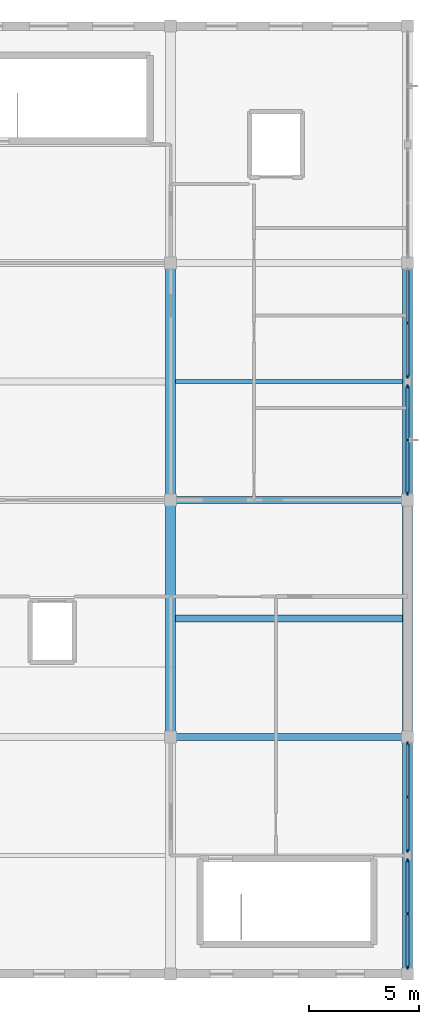
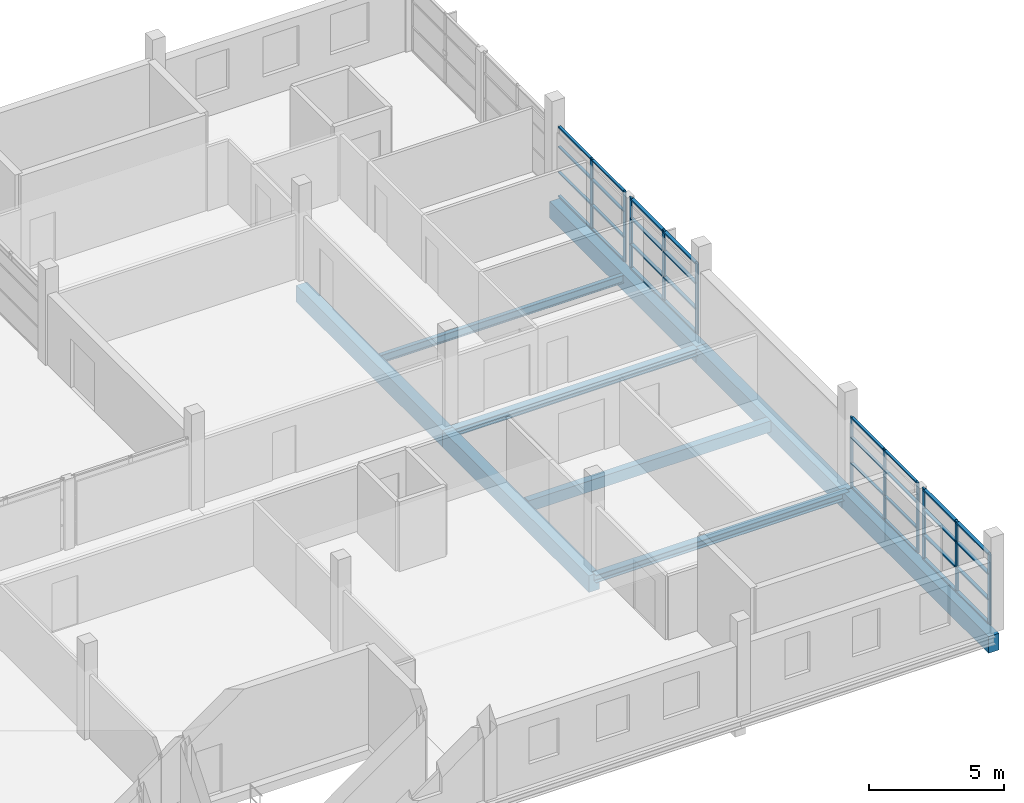
# One storey, part 6 of 15: 43 members, 9 beams, 4 elements without a shape of their own.
"""IFC4 building model written with IfcOpenShell, lengths in metres."""

from ifc_helpers import new_model, si_unit, direction, frame, origin, origin_2d, place, context, subcontext, project, spatial, rectangle, i_section, extrude, material, material_profile, profile_set, type_object, element, aggregate, save


model = new_model("IFC4")

# Units and contexts
model_context = context("Model", 3, precision=1e-05, world=origin(), true_north=direction((0.0, 1.0)))
body_context = subcontext(model_context, "Body", "Model", "MODEL_VIEW")
ifc_project = project(units=[si_unit("LENGTHUNIT", "METRE"), si_unit("AREAUNIT", "SQUARE_METRE"), si_unit("VOLUMEUNIT", "CUBIC_METRE"), si_unit("PLANEANGLEUNIT", "RADIAN"), si_unit("MASSUNIT", "GRAM", prefix="KILO")], contexts=[model_context])

# Site, building, storey
site_placement = place(None, origin())
site = spatial("IfcSite", under=ifc_project, at=site_placement, CompositionType="ELEMENT")
building_placement = place(site_placement, origin())
building = spatial("IfcBuilding", under=site, at=building_placement, Name="Zwinboog Wholesale Market", CompositionType="ELEMENT")
storey_placement = place(building_placement, frame((0.0, 0.0, 14.760009765625)))
storey = spatial("IfcBuildingStorey", under=building, at=storey_placement, Name="L03", CompositionType="ELEMENT", Elevation=14.760009765625)

# Beams
ifc_material_1 = material(Name="Precast concrete C45/55", Category="concrete")
ifc_material_profile_1 = material_profile(ifc_material_1, rectangle(XDim=0.449951171875, YDim=0.75, at=origin_2d()), Name="PC 450x750")
ifc_profile_set_1 = profile_set([ifc_material_profile_1], Name="Precast concrete C45/55")
beam_type_1 = type_object("IfcBeamType", Name="BT-04", PredefinedType="BEAM", material=ifc_profile_set_1)
beam_1_placement = place(storey_placement, frame((162.0, 10.800048828125, -0.722900390625), z_axis=(0.0, 1.0, 0.0), x_axis=(-1.0, 0.0, 0.0)))
element("IfcBeam", 1, at=beam_1_placement, inside=storey, type_object=beam_type_1, Name="BG-04 (BMG-L03-1620-0108-1034)", PredefinedType="BEAM", context=body_context, shape_type="SweptSolid", body=[
    extrude(rectangle(XDim=0.449951171875, YDim=0.75, at=origin_2d()), origin(), (0.0, 0.0, 1.0), 10.800048828125),
])
beam_2_placement = place(storey_placement, frame((162.0, 21.60009765625, -0.722900390625), z_axis=(0.0, 1.0, 0.0), x_axis=(-1.0, 0.0, 0.0)))
element("IfcBeam", 2, at=beam_2_placement, inside=storey, type_object=beam_type_1, Name="BG-04 (BMG-L03-1620-0216-1035)", PredefinedType="BEAM", context=body_context, shape_type="SweptSolid", body=[
    extrude(rectangle(XDim=0.449951171875, YDim=0.75, at=origin_2d()), origin(), (0.0, 0.0, 1.0), 10.7998046875),
])
for number, where, z_axis, x_axis, name in (
    (3, (172.800048828125, 0.0, -0.693115234375), (0.0, 1.0, 0.0), (-1.0, 0.0, 0.0), "BG-04 (BMG-L03-1728-0000-1037)"),
    (4, (172.800048828125, 10.800048828125, -0.722900390625), (0.0, 1.0, 0.0), (-1.0, 0.0, 0.0), "BG-04 (BMG-L03-1728-0108-1038)"),
):
    element("IfcBeam", number, at=place(storey_placement, frame(where, z_axis=z_axis, x_axis=x_axis)), inside=storey, type_object=beam_type_1, Name=name, PredefinedType="BEAM", context=body_context, shape_type="SweptSolid", body=[
        extrude(rectangle(XDim=0.449951171875, YDim=0.75, at=origin_2d()), origin(), (0.0, 0.0, 1.0), 10.800048828125),
    ])
beam_3_placement = place(storey_placement, frame((172.800048828125, 21.60009765625, -0.722900390625), z_axis=(0.0, 1.0, 0.0), x_axis=(-1.0, 0.0, 0.0)))
element("IfcBeam", 5, at=beam_3_placement, inside=storey, type_object=beam_type_1, Name="BG-04 (BMG-L03-1728-0216-1039)", PredefinedType="BEAM", context=body_context, shape_type="SweptSolid", body=[
    extrude(rectangle(XDim=0.449951171875, YDim=0.75, at=origin_2d()), origin(), (0.0, 0.0, 1.0), 10.7998046875),
])
ifc_material_profile_2 = material_profile(ifc_material_1, rectangle(XDim=0.300048828125, YDim=0.5, at=origin_2d()), Name="PC 300x500")
ifc_profile_set_2 = profile_set([ifc_material_profile_2], Name="Precast concrete C45/55")
beam_type_2 = type_object("IfcBeamType", Name="BT-10", PredefinedType="JOIST", material=ifc_profile_set_2)
beam_4_placement = place(storey_placement, frame((162.22509765625, 16.199951171875, -0.568115234375), z_axis=(1.0, 0.0, 0.0), x_axis=(0.0, 1.0, 0.0)))
element("IfcBeam", 6, at=beam_4_placement, inside=storey, type_object=beam_type_2, Name="BJ-01 (BMG-L03-1622-0162-1047)", PredefinedType="JOIST", context=body_context, shape_type="SweptSolid", body=[
    extrude(rectangle(XDim=0.300048828125, YDim=0.5, at=origin_2d()), origin(), (0.0, 0.0, 1.0), 10.349853515625),
])
ifc_material_2 = material(Name="Steel S355", Category="steel")
ifc_material_profile_3 = material_profile(ifc_material_2, i_section(OverallWidth=0.300048828125, OverallDepth=0.340087890625, WebThickness=0.011962890625, FlangeThickness=0.021484375, FilletRadius=0.027099609375, at=origin_2d()), Name="HEB 340")
ifc_profile_set_3 = profile_set([ifc_material_profile_3], Name="Steel S355")
beam_type_3 = type_object("IfcBeamType", Name="BT-16", PredefinedType="BEAM", material=ifc_profile_set_3)
for number, where, z_axis, x_axis, name in (
    (7, (162.0, 10.800048828125, -0.488037109375), (1.0, 0.0, 0.0), (0.0, 1.0, 0.0), "SB-03 (BMG-L03-1620-0108-1016)"),
    (8, (162.0, 21.60009765625, -0.51806640625), (1.0, 0.0, 0.0), (0.0, 1.0, 0.0), "SB-03 (BMG-L03-1620-0216-1020)"),
):
    element("IfcBeam", number, at=place(storey_placement, frame(where, z_axis=z_axis, x_axis=x_axis)), inside=storey, type_object=beam_type_3, Name=name, PredefinedType="BEAM", context=body_context, shape_type="SweptSolid", body=[
        extrude(i_section(OverallWidth=0.300048828125, OverallDepth=0.340087890625, WebThickness=0.011962890625, FlangeThickness=0.021484375, FilletRadius=0.027099609375, at=origin_2d()), origin(), (0.0, 0.0, 1.0), 10.800048828125),
    ])
ifc_material_profile_4 = material_profile(ifc_material_2, i_section(OverallWidth=0.169921875, OverallDepth=0.360107421875, WebThickness=0.008056640625, FlangeThickness=0.0126953125, FilletRadius=0.01806640625, at=origin_2d()), Name="IPE 360")
ifc_profile_set_4 = profile_set([ifc_material_profile_4], Name="Steel S355")
beam_type_4 = type_object("IfcBeamType", Name="BT-20", PredefinedType="JOIST", material=ifc_profile_set_4)
beam_5_placement = place(storey_placement, frame((162.22509765625, 27.0, -0.528076171875), z_axis=(1.0, 0.0, 0.0), x_axis=(0.0, 1.0, 0.0)))
element("IfcBeam", 9, at=beam_5_placement, inside=storey, type_object=beam_type_4, Name="SJ-03 (BMG-L03-1622-0270-1050)", PredefinedType="JOIST", context=body_context, shape_type="SweptSolid", body=[
    extrude(i_section(OverallWidth=0.169921875, OverallDepth=0.360107421875, WebThickness=0.008056640625, FlangeThickness=0.0126953125, FilletRadius=0.01806640625, at=origin_2d()), origin(), (0.0, 0.0, 1.0), 10.349853515625),
])

# Curtain wall, members
ifc_material_3 = material(Name="Aluminium thermally broken curtain wall", Category="aluminium")
curtain_wall_type_1 = type_object("IfcCurtainWallType", Name="CWT-STALL-18", PredefinedType="USERDEFINED", material=ifc_material_3)
curtain_wall_1_placement = place(storey_placement, origin())
curtain_wall_1 = element("IfcCurtainWall", 10, at=curtain_wall_1_placement, inside=storey, type_object=curtain_wall_type_1, Name="CW-01 (CW-L03-175)", ObjectType="STOREFRONT_GLAZING", PredefinedType="USERDEFINED")
ifc_material_4 = material(Name="Aluminium EN AW-6060", Category="aluminium")
ifc_material_profile_5 = material_profile(ifc_material_4, rectangle(XDim=0.06494140625, YDim=0.179931640625, at=origin_2d()), Name="AL 65x180")
ifc_profile_set_5 = profile_set([ifc_material_profile_5], Name="Aluminium EN AW-6060")
member_type_1 = type_object("IfcMemberType", Name="CWM-65x180", PredefinedType="MULLION", material=ifc_profile_set_5)
member_1_placement = place(storey_placement, frame((172.800048828125, 0.302490234375, 0.0), z_axis=(0.0, 0.0, 1.0), x_axis=(-1.0, 0.0, 0.0)))
member_1 = element("IfcMember", 11, at=member_1_placement, type_object=member_type_1, Name="CW-01 mullion 1", PredefinedType="MULLION", context=body_context, shape_type="SweptSolid", body=[
    extrude(rectangle(XDim=0.06494140625, YDim=0.179931640625, at=origin_2d()), origin(), (0.0, 0.0, 1.0), 3.169921875),
])
member_2_placement = place(storey_placement, frame((172.800048828125, 2.735107421875, 0.0), z_axis=(0.0, 0.0, 1.0), x_axis=(-1.0, 0.0, 0.0)))
member_2 = element("IfcMember", 12, at=member_2_placement, type_object=member_type_1, Name="CW-01 mullion 2", PredefinedType="MULLION", context=body_context, shape_type="SweptSolid", body=[
    extrude(rectangle(XDim=0.06494140625, YDim=0.179931640625, at=origin_2d()), origin(), (0.0, 0.0, 1.0), 3.169921875),
])
member_3_placement = place(storey_placement, frame((172.800048828125, 5.16748046875, 0.0), z_axis=(0.0, 0.0, 1.0), x_axis=(-1.0, 0.0, 0.0)))
member_3 = element("IfcMember", 13, at=member_3_placement, type_object=member_type_1, Name="CW-01 mullion 3", PredefinedType="MULLION", context=body_context, shape_type="SweptSolid", body=[
    extrude(rectangle(XDim=0.06494140625, YDim=0.179931640625, at=origin_2d()), origin(), (0.0, 0.0, 1.0), 3.169921875),
])

curtain_wall_type_2 = type_object("IfcCurtainWallType", Name="CWT-HALL-24", PredefinedType="USERDEFINED", material=ifc_material_3)
curtain_wall_2_placement = place(storey_placement, origin())
curtain_wall_2 = element("IfcCurtainWall", 14, at=curtain_wall_2_placement, inside=storey, type_object=curtain_wall_type_2, Name="CW-03 (CW-L03-177)", ObjectType="UNITIZED_CURTAIN_WALL", PredefinedType="USERDEFINED")
member_4_placement = place(storey_placement, frame((172.800048828125, 21.902587890625, 0.0), z_axis=(0.0, 0.0, 1.0), x_axis=(-1.0, 0.0, 0.0)))
member_4 = element("IfcMember", 15, at=member_4_placement, type_object=member_type_1, Name="CW-03 mullion 1", PredefinedType="MULLION", context=body_context, shape_type="SweptSolid", body=[
    extrude(rectangle(XDim=0.06494140625, YDim=0.179931640625, at=origin_2d()), origin(), (0.0, 0.0, 1.0), 3.169921875),
])
member_5_placement = place(storey_placement, frame((172.800048828125, 24.3349609375, 0.0), z_axis=(0.0, 0.0, 1.0), x_axis=(-1.0, 0.0, 0.0)))
member_5 = element("IfcMember", 16, at=member_5_placement, type_object=member_type_1, Name="CW-03 mullion 2", PredefinedType="MULLION", context=body_context, shape_type="SweptSolid", body=[
    extrude(rectangle(XDim=0.06494140625, YDim=0.179931640625, at=origin_2d()), origin(), (0.0, 0.0, 1.0), 3.169921875),
])
member_6_placement = place(storey_placement, frame((172.800048828125, 26.767578125, 0.0), z_axis=(0.0, 0.0, 1.0), x_axis=(-1.0, 0.0, 0.0)))
member_6 = element("IfcMember", 17, at=member_6_placement, type_object=member_type_1, Name="CW-03 mullion 3", PredefinedType="MULLION", context=body_context, shape_type="SweptSolid", body=[
    extrude(rectangle(XDim=0.06494140625, YDim=0.179931640625, at=origin_2d()), origin(), (0.0, 0.0, 1.0), 3.169921875),
])

curtain_wall_type_3 = type_object("IfcCurtainWallType", Name="CWT-STALL-20", PredefinedType="USERDEFINED", material=ifc_material_3)
curtain_wall_3_placement = place(storey_placement, origin())
curtain_wall_3 = element("IfcCurtainWall", 18, at=curtain_wall_3_placement, inside=storey, type_object=curtain_wall_type_3, Name="CW-02 (CW-L03-176)", ObjectType="STOREFRONT_GLAZING", PredefinedType="USERDEFINED")
ifc_material_profile_6 = material_profile(ifc_material_4, rectangle(XDim=0.06005859375, YDim=0.14990234375, at=origin_2d()), Name="AL 60x150")
ifc_profile_set_6 = profile_set([ifc_material_profile_6], Name="Aluminium EN AW-6060")
member_type_2 = type_object("IfcMemberType", Name="CWM-60x150", PredefinedType="MULLION", material=ifc_profile_set_6)
member_7_placement = place(storey_placement, frame((172.800048828125, 5.6298828125, 0.0), z_axis=(0.0, 0.0, 1.0), x_axis=(-1.0, 0.0, 0.0)))
member_7 = element("IfcMember", 19, at=member_7_placement, type_object=member_type_2, Name="CW-02 mullion 1", PredefinedType="MULLION", context=body_context, shape_type="SweptSolid", body=[
    extrude(rectangle(XDim=0.06005859375, YDim=0.14990234375, at=origin_2d()), origin(), (0.0, 0.0, 1.0), 3.169921875),
])
member_8_placement = place(storey_placement, frame((172.800048828125, 8.06494140625, 0.0), z_axis=(0.0, 0.0, 1.0), x_axis=(-1.0, 0.0, 0.0)))
member_8 = element("IfcMember", 20, at=member_8_placement, type_object=member_type_2, Name="CW-02 mullion 2", PredefinedType="MULLION", context=body_context, shape_type="SweptSolid", body=[
    extrude(rectangle(XDim=0.06005859375, YDim=0.14990234375, at=origin_2d()), origin(), (0.0, 0.0, 1.0), 3.169921875),
])
member_9_placement = place(storey_placement, frame((172.800048828125, 10.5, 0.0), z_axis=(0.0, 0.0, 1.0), x_axis=(-1.0, 0.0, 0.0)))
member_9 = element("IfcMember", 21, at=member_9_placement, type_object=member_type_2, Name="CW-02 mullion 3", PredefinedType="MULLION", context=body_context, shape_type="SweptSolid", body=[
    extrude(rectangle(XDim=0.06005859375, YDim=0.14990234375, at=origin_2d()), origin(), (0.0, 0.0, 1.0), 3.169921875),
])

curtain_wall_type_4 = type_object("IfcCurtainWallType", Name="CWT-GAL-16", PredefinedType="USERDEFINED", material=ifc_material_3)
curtain_wall_4_placement = place(storey_placement, origin())
curtain_wall_4 = element("IfcCurtainWall", 22, at=curtain_wall_4_placement, inside=storey, type_object=curtain_wall_type_4, Name="CW-04 (CW-L03-178)", ObjectType="UNITIZED_CURTAIN_WALL", PredefinedType="USERDEFINED")
member_10_placement = place(storey_placement, frame((172.800048828125, 27.22998046875, 0.0), z_axis=(0.0, 0.0, 1.0), x_axis=(-1.0, 0.0, 0.0)))
member_10 = element("IfcMember", 23, at=member_10_placement, type_object=member_type_2, Name="CW-04 mullion 1", PredefinedType="MULLION", context=body_context, shape_type="SweptSolid", body=[
    extrude(rectangle(XDim=0.06005859375, YDim=0.14990234375, at=origin_2d()), origin(), (0.0, 0.0, 1.0), 3.169921875),
])
member_11_placement = place(storey_placement, frame((172.800048828125, 29.6650390625, 0.0), z_axis=(0.0, 0.0, 1.0), x_axis=(-1.0, 0.0, 0.0)))
member_11 = element("IfcMember", 24, at=member_11_placement, type_object=member_type_2, Name="CW-04 mullion 2", PredefinedType="MULLION", context=body_context, shape_type="SweptSolid", body=[
    extrude(rectangle(XDim=0.06005859375, YDim=0.14990234375, at=origin_2d()), origin(), (0.0, 0.0, 1.0), 3.169921875),
])

# Member
ifc_material_profile_7 = material_profile(ifc_material_4, rectangle(XDim=0.139892578125, YDim=0.06494140625, at=origin_2d()), Name="AL 65x140")
ifc_profile_set_7 = profile_set([ifc_material_profile_7], Name="Aluminium EN AW-6060")
member_type_3 = type_object("IfcMemberType", Name="CWT-65x140", PredefinedType="USERDEFINED", material=ifc_profile_set_7)
member_12_placement = place(storey_placement, frame((172.800048828125, 0.3349609375, 0.032470703125), z_axis=(0.0, 1.0, 0.0), x_axis=(-1.0, 0.0, 0.0)))
member_12 = element("IfcMember", 25, at=member_12_placement, type_object=member_type_3, Name="CW-01 transom 1.1", ObjectType="TRANSOM", PredefinedType="USERDEFINED", context=body_context, shape_type="SweptSolid", body=[
    extrude(rectangle(XDim=0.139892578125, YDim=0.06494140625, at=origin_2d()), origin(), (0.0, 0.0, 1.0), 2.367431640625),
])

member_13_placement = place(storey_placement, frame((172.800048828125, 0.3349609375, 1.10009765625), z_axis=(0.0, 1.0, 0.0), x_axis=(-1.0, 0.0, 0.0)))
member_13 = element("IfcMember", 26, at=member_13_placement, type_object=member_type_3, Name="CW-01 transom 1.2", ObjectType="TRANSOM", PredefinedType="USERDEFINED", context=body_context, shape_type="SweptSolid", body=[
    extrude(rectangle(XDim=0.139892578125, YDim=0.06494140625, at=origin_2d()), origin(), (0.0, 0.0, 1.0), 2.367431640625),
])

member_14_placement = place(storey_placement, frame((172.800048828125, 0.3349609375, 2.25), z_axis=(0.0, 1.0, 0.0), x_axis=(-1.0, 0.0, 0.0)))
member_14 = element("IfcMember", 27, at=member_14_placement, type_object=member_type_3, Name="CW-01 transom 1.3", ObjectType="TRANSOM", PredefinedType="USERDEFINED", context=body_context, shape_type="SweptSolid", body=[
    extrude(rectangle(XDim=0.139892578125, YDim=0.06494140625, at=origin_2d()), origin(), (0.0, 0.0, 1.0), 2.367431640625),
])

member_15_placement = place(storey_placement, frame((172.800048828125, 0.3349609375, 3.137451171875), z_axis=(0.0, 1.0, 0.0), x_axis=(-1.0, 0.0, 0.0)))
member_15 = element("IfcMember", 28, at=member_15_placement, type_object=member_type_3, Name="CW-01 transom 1.4", ObjectType="TRANSOM", PredefinedType="USERDEFINED", context=body_context, shape_type="SweptSolid", body=[
    extrude(rectangle(XDim=0.139892578125, YDim=0.06494140625, at=origin_2d()), origin(), (0.0, 0.0, 1.0), 2.367431640625),
])

member_16_placement = place(storey_placement, frame((172.800048828125, 2.767578125, 0.032470703125), z_axis=(0.0, 1.0, 0.0), x_axis=(-1.0, 0.0, 0.0)))
member_16 = element("IfcMember", 29, at=member_16_placement, type_object=member_type_3, Name="CW-01 transom 2.1", ObjectType="TRANSOM", PredefinedType="USERDEFINED", context=body_context, shape_type="SweptSolid", body=[
    extrude(rectangle(XDim=0.139892578125, YDim=0.06494140625, at=origin_2d()), origin(), (0.0, 0.0, 1.0), 2.367431640625),
])

member_17_placement = place(storey_placement, frame((172.800048828125, 2.767578125, 1.10009765625), z_axis=(0.0, 1.0, 0.0), x_axis=(-1.0, 0.0, 0.0)))
member_17 = element("IfcMember", 30, at=member_17_placement, type_object=member_type_3, Name="CW-01 transom 2.2", ObjectType="TRANSOM", PredefinedType="USERDEFINED", context=body_context, shape_type="SweptSolid", body=[
    extrude(rectangle(XDim=0.139892578125, YDim=0.06494140625, at=origin_2d()), origin(), (0.0, 0.0, 1.0), 2.367431640625),
])

member_18_placement = place(storey_placement, frame((172.800048828125, 2.767578125, 2.25), z_axis=(0.0, 1.0, 0.0), x_axis=(-1.0, 0.0, 0.0)))
member_18 = element("IfcMember", 31, at=member_18_placement, type_object=member_type_3, Name="CW-01 transom 2.3", ObjectType="TRANSOM", PredefinedType="USERDEFINED", context=body_context, shape_type="SweptSolid", body=[
    extrude(rectangle(XDim=0.139892578125, YDim=0.06494140625, at=origin_2d()), origin(), (0.0, 0.0, 1.0), 2.367431640625),
])

member_19_placement = place(storey_placement, frame((172.800048828125, 2.767578125, 3.137451171875), z_axis=(0.0, 1.0, 0.0), x_axis=(-1.0, 0.0, 0.0)))
member_19 = element("IfcMember", 32, at=member_19_placement, type_object=member_type_3, Name="CW-01 transom 2.4", ObjectType="TRANSOM", PredefinedType="USERDEFINED", context=body_context, shape_type="SweptSolid", body=[
    extrude(rectangle(XDim=0.139892578125, YDim=0.06494140625, at=origin_2d()), origin(), (0.0, 0.0, 1.0), 2.367431640625),
])

aggregate(curtain_wall_1, [member_1, member_2, member_3, member_12, member_13, member_14, member_15, member_16, member_17, member_18, member_19])

member_20_placement = place(storey_placement, frame((172.800048828125, 21.93505859375, 0.032470703125), z_axis=(0.0, 1.0, 0.0), x_axis=(-1.0, 0.0, 0.0)))
member_20 = element("IfcMember", 33, at=member_20_placement, type_object=member_type_3, Name="CW-03 transom 1.1", ObjectType="TRANSOM", PredefinedType="USERDEFINED", context=body_context, shape_type="SweptSolid", body=[
    extrude(rectangle(XDim=0.139892578125, YDim=0.06494140625, at=origin_2d()), origin(), (0.0, 0.0, 1.0), 2.367431640625),
])

member_21_placement = place(storey_placement, frame((172.800048828125, 21.93505859375, 1.10009765625), z_axis=(0.0, 1.0, 0.0), x_axis=(-1.0, 0.0, 0.0)))
member_21 = element("IfcMember", 34, at=member_21_placement, type_object=member_type_3, Name="CW-03 transom 1.2", ObjectType="TRANSOM", PredefinedType="USERDEFINED", context=body_context, shape_type="SweptSolid", body=[
    extrude(rectangle(XDim=0.139892578125, YDim=0.06494140625, at=origin_2d()), origin(), (0.0, 0.0, 1.0), 2.367431640625),
])

member_22_placement = place(storey_placement, frame((172.800048828125, 21.93505859375, 2.25), z_axis=(0.0, 1.0, 0.0), x_axis=(-1.0, 0.0, 0.0)))
member_22 = element("IfcMember", 35, at=member_22_placement, type_object=member_type_3, Name="CW-03 transom 1.3", ObjectType="TRANSOM", PredefinedType="USERDEFINED", context=body_context, shape_type="SweptSolid", body=[
    extrude(rectangle(XDim=0.139892578125, YDim=0.06494140625, at=origin_2d()), origin(), (0.0, 0.0, 1.0), 2.367431640625),
])

member_23_placement = place(storey_placement, frame((172.800048828125, 21.93505859375, 3.137451171875), z_axis=(0.0, 1.0, 0.0), x_axis=(-1.0, 0.0, 0.0)))
member_23 = element("IfcMember", 36, at=member_23_placement, type_object=member_type_3, Name="CW-03 transom 1.4", ObjectType="TRANSOM", PredefinedType="USERDEFINED", context=body_context, shape_type="SweptSolid", body=[
    extrude(rectangle(XDim=0.139892578125, YDim=0.06494140625, at=origin_2d()), origin(), (0.0, 0.0, 1.0), 2.367431640625),
])

member_24_placement = place(storey_placement, frame((172.800048828125, 24.367431640625, 0.032470703125), z_axis=(0.0, 1.0, 0.0), x_axis=(-1.0, 0.0, 0.0)))
member_24 = element("IfcMember", 37, at=member_24_placement, type_object=member_type_3, Name="CW-03 transom 2.1", ObjectType="TRANSOM", PredefinedType="USERDEFINED", context=body_context, shape_type="SweptSolid", body=[
    extrude(rectangle(XDim=0.139892578125, YDim=0.06494140625, at=origin_2d()), origin(), (0.0, 0.0, 1.0), 2.36767578125),
])

member_25_placement = place(storey_placement, frame((172.800048828125, 24.367431640625, 1.10009765625), z_axis=(0.0, 1.0, 0.0), x_axis=(-1.0, 0.0, 0.0)))
member_25 = element("IfcMember", 38, at=member_25_placement, type_object=member_type_3, Name="CW-03 transom 2.2", ObjectType="TRANSOM", PredefinedType="USERDEFINED", context=body_context, shape_type="SweptSolid", body=[
    extrude(rectangle(XDim=0.139892578125, YDim=0.06494140625, at=origin_2d()), origin(), (0.0, 0.0, 1.0), 2.36767578125),
])

member_26_placement = place(storey_placement, frame((172.800048828125, 24.367431640625, 2.25), z_axis=(0.0, 1.0, 0.0), x_axis=(-1.0, 0.0, 0.0)))
member_26 = element("IfcMember", 39, at=member_26_placement, type_object=member_type_3, Name="CW-03 transom 2.3", ObjectType="TRANSOM", PredefinedType="USERDEFINED", context=body_context, shape_type="SweptSolid", body=[
    extrude(rectangle(XDim=0.139892578125, YDim=0.06494140625, at=origin_2d()), origin(), (0.0, 0.0, 1.0), 2.36767578125),
])

member_27_placement = place(storey_placement, frame((172.800048828125, 24.367431640625, 3.137451171875), z_axis=(0.0, 1.0, 0.0), x_axis=(-1.0, 0.0, 0.0)))
member_27 = element("IfcMember", 40, at=member_27_placement, type_object=member_type_3, Name="CW-03 transom 2.4", ObjectType="TRANSOM", PredefinedType="USERDEFINED", context=body_context, shape_type="SweptSolid", body=[
    extrude(rectangle(XDim=0.139892578125, YDim=0.06494140625, at=origin_2d()), origin(), (0.0, 0.0, 1.0), 2.36767578125),
])

aggregate(curtain_wall_2, [member_4, member_5, member_6, member_20, member_21, member_22, member_23, member_24, member_25, member_26, member_27])

ifc_material_profile_8 = material_profile(ifc_material_4, rectangle(XDim=0.110107421875, YDim=0.06005859375, at=origin_2d()), Name="AL 60x110")
ifc_profile_set_8 = profile_set([ifc_material_profile_8], Name="Aluminium EN AW-6060")
member_type_4 = type_object("IfcMemberType", Name="CWT-60x110", PredefinedType="USERDEFINED", material=ifc_profile_set_8)
member_28_placement = place(storey_placement, frame((172.800048828125, 5.659912109375, 0.030029296875), z_axis=(0.0, 1.0, 0.0), x_axis=(-1.0, 0.0, 0.0)))
member_28 = element("IfcMember", 41, at=member_28_placement, type_object=member_type_4, Name="CW-02 transom 1.1", ObjectType="TRANSOM", PredefinedType="USERDEFINED", context=body_context, shape_type="SweptSolid", body=[
    extrude(rectangle(XDim=0.110107421875, YDim=0.06005859375, at=origin_2d()), origin(), (0.0, 0.0, 1.0), 2.375),
])

member_29_placement = place(storey_placement, frame((172.800048828125, 5.659912109375, 1.10009765625), z_axis=(0.0, 1.0, 0.0), x_axis=(-1.0, 0.0, 0.0)))
member_29 = element("IfcMember", 42, at=member_29_placement, type_object=member_type_4, Name="CW-02 transom 1.2", ObjectType="TRANSOM", PredefinedType="USERDEFINED", context=body_context, shape_type="SweptSolid", body=[
    extrude(rectangle(XDim=0.110107421875, YDim=0.06005859375, at=origin_2d()), origin(), (0.0, 0.0, 1.0), 2.375),
])

member_30_placement = place(storey_placement, frame((172.800048828125, 5.659912109375, 2.25), z_axis=(0.0, 1.0, 0.0), x_axis=(-1.0, 0.0, 0.0)))
member_30 = element("IfcMember", 43, at=member_30_placement, type_object=member_type_4, Name="CW-02 transom 1.3", ObjectType="TRANSOM", PredefinedType="USERDEFINED", context=body_context, shape_type="SweptSolid", body=[
    extrude(rectangle(XDim=0.110107421875, YDim=0.06005859375, at=origin_2d()), origin(), (0.0, 0.0, 1.0), 2.375),
])

member_31_placement = place(storey_placement, frame((172.800048828125, 5.659912109375, 3.139892578125), z_axis=(0.0, 1.0, 0.0), x_axis=(-1.0, 0.0, 0.0)))
member_31 = element("IfcMember", 44, at=member_31_placement, type_object=member_type_4, Name="CW-02 transom 1.4", ObjectType="TRANSOM", PredefinedType="USERDEFINED", context=body_context, shape_type="SweptSolid", body=[
    extrude(rectangle(XDim=0.110107421875, YDim=0.06005859375, at=origin_2d()), origin(), (0.0, 0.0, 1.0), 2.375),
])

member_32_placement = place(storey_placement, frame((172.800048828125, 8.094970703125, 0.030029296875), z_axis=(0.0, 1.0, 0.0), x_axis=(-1.0, 0.0, 0.0)))
member_32 = element("IfcMember", 45, at=member_32_placement, type_object=member_type_4, Name="CW-02 transom 2.1", ObjectType="TRANSOM", PredefinedType="USERDEFINED", context=body_context, shape_type="SweptSolid", body=[
    extrude(rectangle(XDim=0.110107421875, YDim=0.06005859375, at=origin_2d()), origin(), (0.0, 0.0, 1.0), 2.375),
])

member_33_placement = place(storey_placement, frame((172.800048828125, 8.094970703125, 1.10009765625), z_axis=(0.0, 1.0, 0.0), x_axis=(-1.0, 0.0, 0.0)))
member_33 = element("IfcMember", 46, at=member_33_placement, type_object=member_type_4, Name="CW-02 transom 2.2", ObjectType="TRANSOM", PredefinedType="USERDEFINED", context=body_context, shape_type="SweptSolid", body=[
    extrude(rectangle(XDim=0.110107421875, YDim=0.06005859375, at=origin_2d()), origin(), (0.0, 0.0, 1.0), 2.375),
])

member_34_placement = place(storey_placement, frame((172.800048828125, 8.094970703125, 2.25), z_axis=(0.0, 1.0, 0.0), x_axis=(-1.0, 0.0, 0.0)))
member_34 = element("IfcMember", 47, at=member_34_placement, type_object=member_type_4, Name="CW-02 transom 2.3", ObjectType="TRANSOM", PredefinedType="USERDEFINED", context=body_context, shape_type="SweptSolid", body=[
    extrude(rectangle(XDim=0.110107421875, YDim=0.06005859375, at=origin_2d()), origin(), (0.0, 0.0, 1.0), 2.375),
])

member_35_placement = place(storey_placement, frame((172.800048828125, 8.094970703125, 3.139892578125), z_axis=(0.0, 1.0, 0.0), x_axis=(-1.0, 0.0, 0.0)))
member_35 = element("IfcMember", 48, at=member_35_placement, type_object=member_type_4, Name="CW-02 transom 2.4", ObjectType="TRANSOM", PredefinedType="USERDEFINED", context=body_context, shape_type="SweptSolid", body=[
    extrude(rectangle(XDim=0.110107421875, YDim=0.06005859375, at=origin_2d()), origin(), (0.0, 0.0, 1.0), 2.375),
])

aggregate(curtain_wall_3, [member_7, member_8, member_9, member_28, member_29, member_30, member_31, member_32, member_33, member_34, member_35])

member_36_placement = place(storey_placement, frame((172.800048828125, 27.260009765625, 0.030029296875), z_axis=(0.0, 1.0, 0.0), x_axis=(-1.0, 0.0, 0.0)))
member_36 = element("IfcMember", 49, at=member_36_placement, type_object=member_type_4, Name="CW-04 transom 1.1", ObjectType="TRANSOM", PredefinedType="USERDEFINED", context=body_context, shape_type="SweptSolid", body=[
    extrude(rectangle(XDim=0.110107421875, YDim=0.06005859375, at=origin_2d()), origin(), (0.0, 0.0, 1.0), 2.375),
])

member_37_placement = place(storey_placement, frame((172.800048828125, 27.260009765625, 1.10009765625), z_axis=(0.0, 1.0, 0.0), x_axis=(-1.0, 0.0, 0.0)))
member_37 = element("IfcMember", 50, at=member_37_placement, type_object=member_type_4, Name="CW-04 transom 1.2", ObjectType="TRANSOM", PredefinedType="USERDEFINED", context=body_context, shape_type="SweptSolid", body=[
    extrude(rectangle(XDim=0.110107421875, YDim=0.06005859375, at=origin_2d()), origin(), (0.0, 0.0, 1.0), 2.375),
])

member_38_placement = place(storey_placement, frame((172.800048828125, 27.260009765625, 2.25), z_axis=(0.0, 1.0, 0.0), x_axis=(-1.0, 0.0, 0.0)))
member_38 = element("IfcMember", 51, at=member_38_placement, type_object=member_type_4, Name="CW-04 transom 1.3", ObjectType="TRANSOM", PredefinedType="USERDEFINED", context=body_context, shape_type="SweptSolid", body=[
    extrude(rectangle(XDim=0.110107421875, YDim=0.06005859375, at=origin_2d()), origin(), (0.0, 0.0, 1.0), 2.375),
])

member_39_placement = place(storey_placement, frame((172.800048828125, 27.260009765625, 3.139892578125), z_axis=(0.0, 1.0, 0.0), x_axis=(-1.0, 0.0, 0.0)))
member_39 = element("IfcMember", 52, at=member_39_placement, type_object=member_type_4, Name="CW-04 transom 1.4", ObjectType="TRANSOM", PredefinedType="USERDEFINED", context=body_context, shape_type="SweptSolid", body=[
    extrude(rectangle(XDim=0.110107421875, YDim=0.06005859375, at=origin_2d()), origin(), (0.0, 0.0, 1.0), 2.375),
])

member_40_placement = place(storey_placement, frame((172.800048828125, 29.695068359375, 0.030029296875), z_axis=(0.0, 1.0, 0.0), x_axis=(-1.0, 0.0, 0.0)))
member_40 = element("IfcMember", 53, at=member_40_placement, type_object=member_type_4, Name="CW-04 transom 2.1", ObjectType="TRANSOM", PredefinedType="USERDEFINED", context=body_context, shape_type="SweptSolid", body=[
    extrude(rectangle(XDim=0.110107421875, YDim=0.06005859375, at=origin_2d()), origin(), (0.0, 0.0, 1.0), 2.375),
])

member_41_placement = place(storey_placement, frame((172.800048828125, 29.695068359375, 1.10009765625), z_axis=(0.0, 1.0, 0.0), x_axis=(-1.0, 0.0, 0.0)))
member_41 = element("IfcMember", 54, at=member_41_placement, type_object=member_type_4, Name="CW-04 transom 2.2", ObjectType="TRANSOM", PredefinedType="USERDEFINED", context=body_context, shape_type="SweptSolid", body=[
    extrude(rectangle(XDim=0.110107421875, YDim=0.06005859375, at=origin_2d()), origin(), (0.0, 0.0, 1.0), 2.375),
])

member_42_placement = place(storey_placement, frame((172.800048828125, 29.695068359375, 2.25), z_axis=(0.0, 1.0, 0.0), x_axis=(-1.0, 0.0, 0.0)))
member_42 = element("IfcMember", 55, at=member_42_placement, type_object=member_type_4, Name="CW-04 transom 2.3", ObjectType="TRANSOM", PredefinedType="USERDEFINED", context=body_context, shape_type="SweptSolid", body=[
    extrude(rectangle(XDim=0.110107421875, YDim=0.06005859375, at=origin_2d()), origin(), (0.0, 0.0, 1.0), 2.375),
])

member_43_placement = place(storey_placement, frame((172.800048828125, 29.695068359375, 3.139892578125), z_axis=(0.0, 1.0, 0.0), x_axis=(-1.0, 0.0, 0.0)))
member_43 = element("IfcMember", 56, at=member_43_placement, type_object=member_type_4, Name="CW-04 transom 2.4", ObjectType="TRANSOM", PredefinedType="USERDEFINED", context=body_context, shape_type="SweptSolid", body=[
    extrude(rectangle(XDim=0.110107421875, YDim=0.06005859375, at=origin_2d()), origin(), (0.0, 0.0, 1.0), 2.375),
])

aggregate(curtain_wall_4, [member_10, member_11, member_36, member_37, member_38, member_39, member_40, member_41, member_42, member_43])

save(model, "model.ifc")
